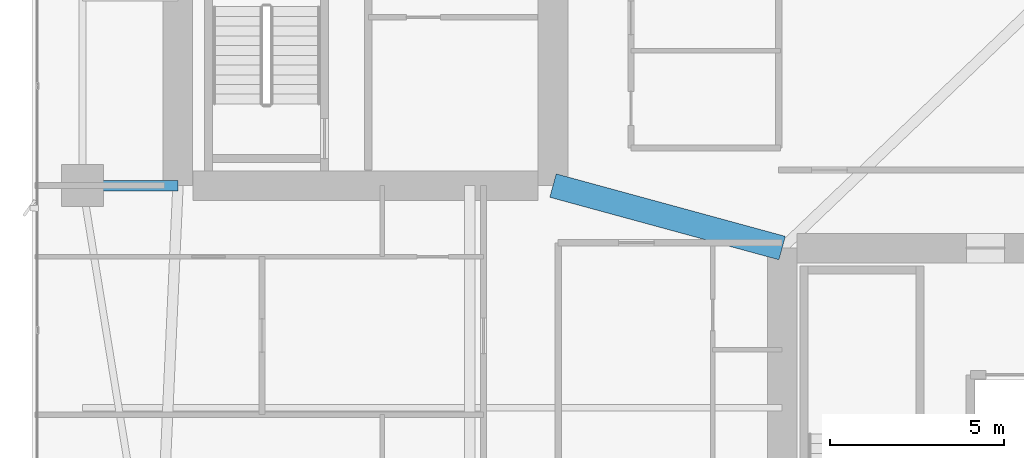
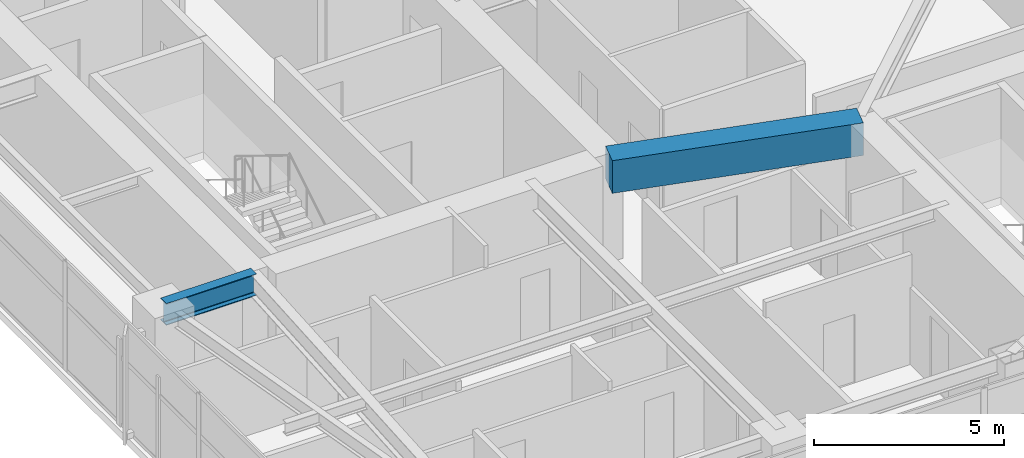
# One storey, part 7 of 28: 2 beams.
"""IFC4 building model written with IfcOpenShell, lengths in metres."""

import ifcopenshell
import ifcopenshell.guid

model = None  # the IFC model being written
_history = None  # IfcOwnerHistory: only IFC2X3 demands one
_inside = {}  # id of a spatial element -> (the spatial element, [elements in it])
_under = {}  # id of a project, library or spatial element -> (it, [spatial elements below it])
_declared = {}  # id of a project -> (the project, [libraries it declares])
_typed = {}  # id of a type object -> (the type object, [elements of that type])
_made_of = {}  # id of a material, layer set ... -> (it, [elements and type objects made of it])


def new_model(schema):
    """Start an empty IFC model of exactly this schema.

    Asked for "IFC4X3", IfcOpenShell would pick the latest addendum, in which some entities
    have other attributes; the version numbers below select the first issue.
    IFC2X3 requires an IfcOwnerHistory on every rooted entity: one is made here for all.
    """
    global model, _history
    if schema == "IFC4X3":
        model = ifcopenshell.file(schema_version=(4, 3, 0, 0))
    else:
        model = ifcopenshell.file(schema=schema)
    _inside.clear()
    _under.clear()
    _declared.clear()
    _typed.clear()
    _made_of.clear()
    _history = None
    if model.schema == "IFC2X3":
        org = make("IfcOrganization", Name="unknown")
        user = make(
            "IfcPersonAndOrganization",
            ThePerson=make("IfcPerson", FamilyName="unknown"),
            TheOrganization=org,
        )
        app = make(
            "IfcApplication",
            ApplicationDeveloper=org,
            Version="unknown",
            ApplicationFullName="unknown",
            ApplicationIdentifier="unknown",
        )
        _history = make(
            "IfcOwnerHistory",
            OwningUser=user,
            OwningApplication=app,
            ChangeAction="ADDED",
            CreationDate=0,
        )
    return model


def make(cls, **values):
    """One entity of the class cls with the attributes given. An attribute that is None is left unset."""
    return model.create_entity(
        cls, **{name: value for name, value in values.items() if value is not None}
    )


def rooted(cls, **values):
    """An entity with a GlobalId (a new one), such as an element, a storey or a relation."""
    return make(cls, GlobalId=ifcopenshell.guid.new(), OwnerHistory=_history, **values)


def si_unit(unit_type, name, prefix=None):
    """IfcSIUnit, for example si_unit("LENGTHUNIT", "METRE", prefix="MILLI")."""
    return make("IfcSIUnit", UnitType=unit_type, Prefix=prefix, Name=name)


def assignment(units):
    """IfcUnitAssignment: the units of a project."""
    return None if units is None else make("IfcUnitAssignment", Units=units)


def point(xyz):
    """IfcCartesianPoint."""
    return None if xyz is None else make("IfcCartesianPoint", Coordinates=xyz)


def direction(xyz):
    """IfcDirection."""
    return None if xyz is None else make("IfcDirection", DirectionRatios=xyz)


def frame(location, z_axis=None, x_axis=None):
    """IfcAxis2Placement3D, a coordinate frame: its origin and axes. An axis left out is left unset."""
    return make(
        "IfcAxis2Placement3D",
        Location=point(location),
        Axis=direction(z_axis),
        RefDirection=direction(x_axis),
    )


def frame_2d(location, x_axis=None):
    """IfcAxis2Placement2D, a coordinate frame in the plane: its origin and x axis."""
    return make(
        "IfcAxis2Placement2D", Location=point(location), RefDirection=direction(x_axis)
    )


def origin():
    """The frame at (0, 0, 0) with its axes left unset."""
    return frame((0.0, 0.0, 0.0))


def origin_2d():
    """The frame at (0, 0) in the plane with its x axis left unset."""
    return frame_2d((0.0, 0.0))


def place(relative_to, where):
    """IfcLocalPlacement: puts the frame where relative to a parent placement (None: the world)."""
    return make(
        "IfcLocalPlacement", PlacementRelTo=relative_to, RelativePlacement=where
    )


def context(
    kind, dimensions, precision=None, world=None, true_north=None, identifier=None
):
    """IfcGeometricRepresentationContext, for example the 3D "Model" context."""
    return make(
        "IfcGeometricRepresentationContext",
        ContextIdentifier=identifier,
        ContextType=kind,
        CoordinateSpaceDimension=dimensions,
        Precision=precision,
        WorldCoordinateSystem=world,
        TrueNorth=true_north,
    )


def subcontext(parent, identifier, kind, view, scale=None):
    """IfcGeometricRepresentationSubContext, for example "Body" below "Model"."""
    return make(
        "IfcGeometricRepresentationSubContext",
        ContextIdentifier=identifier,
        ContextType=kind,
        ParentContext=parent,
        TargetScale=scale,
        TargetView=view,
    )


def project(units=None, contexts=None):
    """IfcProject with its units and contexts."""
    return rooted(
        "IfcProject",
        Name="project",
        RepresentationContexts=contexts,
        UnitsInContext=assignment(units),
    )


def spatial(cls, under=None, at=None, **own):
    """A site, building, storey or space (cls), placed at a placement, below another one or the project."""
    s = rooted(cls, ObjectPlacement=at, **own)
    if under is not None:
        _under.setdefault(under.id(), (under, []))[1].append(s)
    return s


def profile(cls, at=None, kind="AREA", **sizes):
    """A parametric profile (cls). Its sizes go by their IFC names, for example OverallWidth=200.0."""
    return make(cls, ProfileType=kind, Position=at, **sizes)


def rectangle(**sizes):
    """IfcRectangleProfileDef."""
    return profile("IfcRectangleProfileDef", **sizes)


def i_section(**sizes):
    """IfcIShapeProfileDef."""
    return profile("IfcIShapeProfileDef", **sizes)


def extrude(swept, where, along, depth):
    """IfcExtrudedAreaSolid: the profile swept, set in the frame where, extruded along a direction by depth."""
    return make(
        "IfcExtrudedAreaSolid",
        SweptArea=swept,
        Position=where,
        ExtrudedDirection=direction(along),
        Depth=depth,
    )


def shape(context_of_items, identifier, shape_type, items):
    """IfcShapeRepresentation: the items that make up one representation, for example the "Body"."""
    return make(
        "IfcShapeRepresentation",
        ContextOfItems=context_of_items,
        RepresentationIdentifier=identifier,
        RepresentationType=shape_type,
        Items=items,
    )


def material(Name=None, Category=None):
    """IfcMaterial."""
    return make("IfcMaterial", Name=Name, Category=Category)


def material_profile(
    of_material, cross_section, Name=None, Category=None, Priority=None
):
    """IfcMaterialProfile: a cross section and its material."""
    return make(
        "IfcMaterialProfile",
        Name=Name,
        Material=of_material,
        Profile=cross_section,
        Priority=Priority,
        Category=Category,
    )


def profile_set(profiles, Name=None, composite=None):
    """IfcMaterialProfileSet."""
    return make(
        "IfcMaterialProfileSet",
        Name=Name,
        MaterialProfiles=profiles,
        CompositeProfile=composite,
    )


def made_of(thing, what):
    """Note that an element or type object is made of a material, layer set ...; save() writes the relation."""
    if what is not None:
        _made_of.setdefault(what.id(), (what, []))[1].append(thing)
    return thing


def type_object(cls, material=None, **own):
    """A type object (cls), such as IfcWallType, which elements share."""
    return made_of(rooted(cls, **own), material)


def element(
    cls,
    number,
    at=None,
    inside=None,
    cuts=None,
    type_object=None,
    material=None,
    context=None,
    identifier="Body",
    shape_type=None,
    held_by="IfcProductDefinitionShape",
    body=None,
    shapes=None,
    **own,
):
    """One element of the class cls, such as IfcWall. Its Tag is "e" and its number.

    at: its placement. inside: the storey or other place that contains it. cuts: it is an
    opening in that element (IfcRelVoidsElement). A single representation is given by context,
    identifier, shape_type and body (its items); several are given by shapes. held_by: the class
    of the entity that holds the representations. save() writes the other relations.
    """
    e = rooted(cls, Tag="e%d" % number, ObjectPlacement=at, **own)
    if body is not None:
        shapes = [shape(context, identifier, shape_type, body)]
    if shapes is not None:
        e.Representation = make(held_by, Representations=shapes)
    if inside is not None:
        _inside.setdefault(inside.id(), (inside, []))[1].append(e)
    if cuts is not None:
        rooted(
            "IfcRelVoidsElement", RelatingBuildingElement=cuts, RelatedOpeningElement=e
        )
    if type_object is not None:
        _typed.setdefault(type_object.id(), (type_object, []))[1].append(e)
    return made_of(e, material)


def aggregate(whole, parts):
    """IfcRelAggregates: a whole, such as a stair, and the parts it consists of."""
    return rooted("IfcRelAggregates", RelatingObject=whole, RelatedObjects=parts)


def save(model, path):
    """Write the relations noted so far, then the file.

    IfcRelAggregates (storeys below a building ...), IfcRelContainedInSpatialStructure (elements
    in a storey), IfcRelDefinesByType, IfcRelAssociatesMaterial and IfcRelDeclares: one each for
    every whole, place, type object, material and project.
    """
    for whole, parts in _under.values():
        aggregate(whole, parts)
    for where, things in _inside.values():
        rooted(
            "IfcRelContainedInSpatialStructure",
            RelatedElements=things,
            RelatingStructure=where,
        )
    for kind, things in _typed.values():
        rooted("IfcRelDefinesByType", RelatedObjects=things, RelatingType=kind)
    for what, things in _made_of.values():
        rooted("IfcRelAssociatesMaterial", RelatedObjects=things, RelatingMaterial=what)
    for by, libraries in _declared.values():
        rooted("IfcRelDeclares", RelatingContext=by, RelatedDefinitions=libraries)
    model.write(path)


model = new_model("IFC4")

# Units and contexts
model_context = context("Model", 3, precision=1e-05, world=origin(), true_north=direction((0.0, 1.0)))
body_context = subcontext(model_context, "Body", "Model", "MODEL_VIEW")
ifc_project = project(units=[si_unit("LENGTHUNIT", "METRE"), si_unit("AREAUNIT", "SQUARE_METRE"), si_unit("VOLUMEUNIT", "CUBIC_METRE"), si_unit("PLANEANGLEUNIT", "RADIAN"), si_unit("MASSUNIT", "GRAM", prefix="KILO")], contexts=[model_context])

# Site, building, storey
site_placement = place(None, origin())
site = spatial("IfcSite", under=ifc_project, at=site_placement, CompositionType="ELEMENT")
building_placement = place(site_placement, origin())
building = spatial("IfcBuilding", under=site, at=building_placement, Name="Calvorn Quay Hotel", CompositionType="ELEMENT")
storey_placement = place(building_placement, frame((0.0, 0.0, 135.39990234375)))
storey = spatial("IfcBuildingStorey", under=building, at=storey_placement, Name="L33", CompositionType="ELEMENT", Elevation=135.39990234375)

# Beams
ifc_material_1 = material(Name="Steel Q390GJC", Category="steel")
ifc_material_profile_1 = material_profile(ifc_material_1, i_section(OverallWidth=0.300048828125, OverallDepth=0.699951171875, WebThickness=0.012939453125, FlangeThickness=0.02392578125, FilletRadius=0.02392578125, at=origin_2d()), Name="HN700x300x13x24")
ifc_profile_set_1 = profile_set([ifc_material_profile_1], Name="Steel Q390GJC")
beam_type_1 = type_object("IfcBeamType", Name="BM-GIRD-MAIN", PredefinedType="BEAM", material=ifc_profile_set_1)
beam_1_placement = place(storey_placement, frame((1.449951171875, 16.800048828125, 3.170166015625), z_axis=(1.0, 0.0, 0.0), x_axis=(0.0, 1.0, 0.0)))
element("IfcBeam", 1, at=beam_1_placement, inside=storey, type_object=beam_type_1, Name="Beam BG-L33-W1", PredefinedType="BEAM", context=body_context, shape_type="SweptSolid", body=[
    extrude(i_section(OverallWidth=0.300048828125, OverallDepth=0.699951171875, WebThickness=0.012939453125, FlangeThickness=0.02392578125, FilletRadius=0.02392578125, at=origin_2d()), origin(), (0.0, 0.0, 1.0), 2.75),
])
ifc_material_2 = material(Name="Concrete C50", Category="concrete")
ifc_material_profile_2 = material_profile(ifc_material_2, rectangle(XDim=0.699951171875, YDim=1.050048828125, at=origin_2d()), Name="RCB700x1050")
ifc_profile_set_2 = profile_set([ifc_material_profile_2], Name="Concrete C50")
beam_type_2 = type_object("IfcBeamType", Name="BM-RC-LINK-700x1050", PredefinedType="BEAM", material=ifc_profile_set_2)
beam_2_placement = place(storey_placement, frame((15.0, 16.800048828125, 2.9951171875), z_axis=(0.964762997686, -0.263120425462, 0.0), x_axis=(0.263120425462, 0.964762997686, 0.0)))
element("IfcBeam", 2, at=beam_2_placement, inside=storey, type_object=beam_type_2, Name="Beam BCL-L33-01", PredefinedType="BEAM", context=body_context, shape_type="SweptSolid", body=[
    extrude(rectangle(XDim=0.699951171875, YDim=1.050048828125, at=origin_2d()), origin(), (0.0, 0.0, 1.0), 6.841064453125),
])

save(model, "model.ifc")
